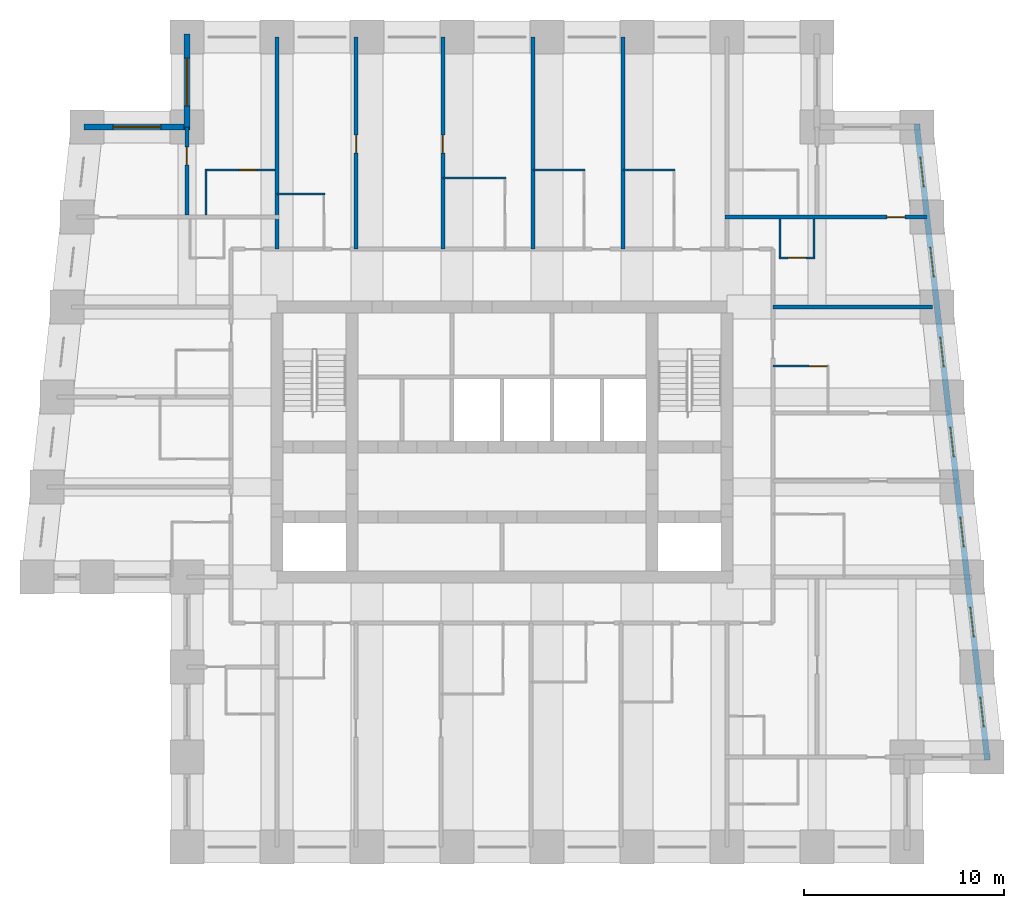
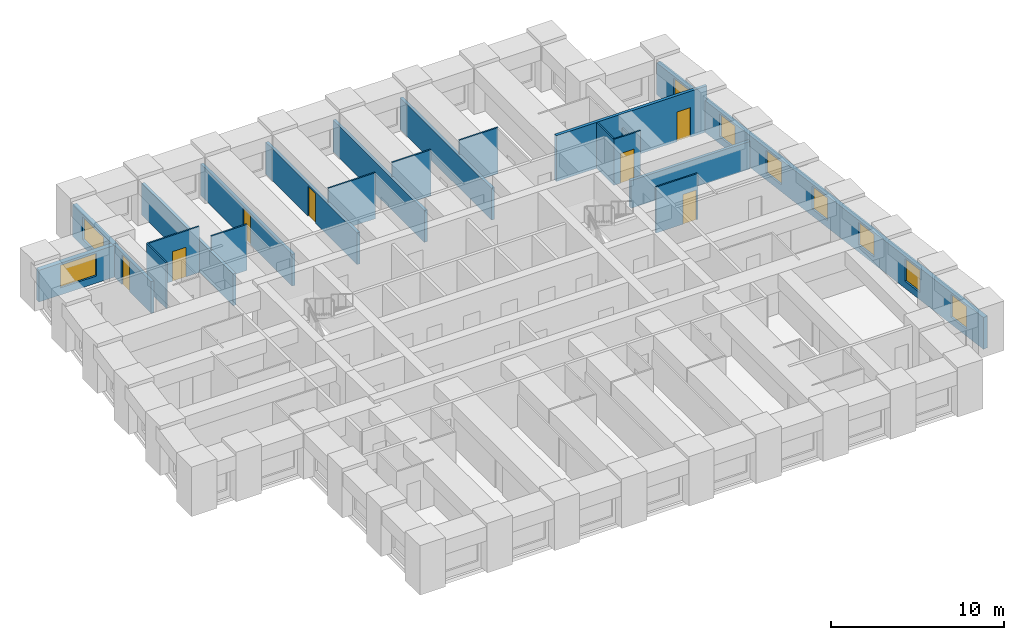
# One storey, part 6 of 8: 21 walls, 9 windows, 7 doors, 16 openings.
"""IFC4 building model written with IfcOpenShell, lengths in metres."""

from ifc_helpers import new_model, si_unit, direction, frame, frame_2d, origin, place, context, subcontext, project, spatial, rectangle, extrude, material, layer, layer_set, type_object, element, fill, save


model = new_model("IFC4")

# Units and contexts
model_context = context("Model", 3, precision=1e-05, world=origin(), true_north=direction((0.0, 1.0)))
body_context = subcontext(model_context, "Body", "Model", "MODEL_VIEW")
ifc_project = project(units=[si_unit("LENGTHUNIT", "METRE"), si_unit("AREAUNIT", "SQUARE_METRE"), si_unit("VOLUMEUNIT", "CUBIC_METRE"), si_unit("PLANEANGLEUNIT", "RADIAN"), si_unit("MASSUNIT", "GRAM", prefix="KILO")], contexts=[model_context])

# Site, building, storey
site_placement = place(None, origin())
site = spatial("IfcSite", under=ifc_project, at=site_placement, CompositionType="ELEMENT")
building_placement = place(site_placement, origin())
building = spatial("IfcBuilding", under=site, at=building_placement, Name="Kilele Tower Hotel", CompositionType="ELEMENT")
storey_placement = place(building_placement, frame((0.0, 0.0, 172.89990234375)))
storey = spatial("IfcBuildingStorey", under=building, at=storey_placement, Name="L44", CompositionType="ELEMENT", Elevation=172.89990234375)

# Wall, opening, door
ifc_material_1 = material(Name="Moisture-resistant board")
ifc_layer_1 = layer(ifc_material_1, 0.10009765625)
ifc_layer_set_1 = layer_set([ifc_layer_1], Name="Moisture-resistant board")
wall_type_1 = type_object("IfcWallType", Name="Bathroom partition 100", PredefinedType="PLUMBINGWALL", material=ifc_layer_set_1)
wall_1_placement = place(storey_placement, frame((38.300048828125, 24.050048828125, 0.0), z_axis=(0.0, 0.0, 1.0), x_axis=(1.0, 0.0, 0.0)))
wall_1 = element("IfcWall", 1, at=wall_1_placement, inside=storey, type_object=wall_type_1, Name="Bathroom partition 100 L44", PredefinedType="PLUMBINGWALL", context=body_context, shape_type="SweptSolid", body=[
    extrude(rectangle(XDim=2.800048828125, YDim=0.10009765625, at=frame_2d((1.39990234375, 0.0))), origin(), (0.0, 0.0, 1.0), 3.25),
])
opening_1_placement = place(wall_1_placement, frame((1.800048828125, 0.0, 0.0)))
opening_1 = element("IfcOpeningElement", 2, at=opening_1_placement, cuts=wall_1, Name="Opening D2A", PredefinedType="OPENING", context=body_context, shape_type="SweptSolid", body=[
    extrude(rectangle(XDim=0.89990234375, YDim=2.10009765625, at=frame_2d((0.449951171875, 1.050048828125))), frame((0.0, 0.06005859375, 0.0), z_axis=(0.0, -1.0, 0.0), x_axis=(1.0, 0.0, 0.0)), (0.0, 0.0, 1.0), 0.1201171875),
])
ifc_material_2 = material(Name="Timber door leaf in hardwood frame", Category="wood")
door_type_1 = type_object("IfcDoorType", Name="Bathroom door 900", OperationType="SINGLE_SWING_LEFT", PredefinedType="DOOR", material=ifc_material_2)
door_1_placement = place(opening_1_placement, origin())
door_1 = element("IfcDoor", 3, at=door_1_placement, inside=storey, type_object=door_type_1, Name="Bathroom door 4408B", OperationType="SINGLE_SWING_RIGHT", OverallHeight=2.10009765625, OverallWidth=0.89990234375, PredefinedType="DOOR", context=body_context, shape_type="SweptSolid", body=[
    extrude(rectangle(XDim=0.89990234375, YDim=2.10009765625, at=frame_2d((0.449951171875, 1.050048828125))), frame((0.0, 0.02490234375, 0.0), z_axis=(0.0, -1.0, 0.0), x_axis=(1.0, 0.0, 0.0)), (0.0, 0.0, 1.0), 0.050048828125),
])
fill(opening_1, door_1)

# Walls
wall_2_placement = place(storey_placement, frame((13.5, 32.64990234375, 0.0), z_axis=(0.0, 0.0, 1.0), x_axis=(1.0, 0.0, 0.0)))
element("IfcWall", 4, at=wall_2_placement, inside=storey, type_object=wall_type_1, Name="Bathroom partition 100 L44", PredefinedType="PLUMBINGWALL", context=body_context, shape_type="SweptSolid", body=[
    extrude(rectangle(XDim=2.39990234375, YDim=0.10009765625, at=frame_2d((1.199951171875, 0.0))), origin(), (0.0, 0.0, 1.0), 3.25),
])
wall_3_placement = place(storey_placement, frame((21.800048828125, 33.449951171875, 0.0), z_axis=(0.0, 0.0, 1.0), x_axis=(1.0, 0.0, 0.0)))
element("IfcWall", 5, at=wall_3_placement, inside=storey, type_object=wall_type_1, Name="Bathroom partition 100 L44", PredefinedType="PLUMBINGWALL", context=body_context, shape_type="SweptSolid", body=[
    extrude(rectangle(XDim=3.14990234375, YDim=0.10009765625, at=frame_2d((1.574951171875, 0.0))), origin(), (0.0, 0.0, 1.0), 3.25),
])
for number, where, z_axis, x_axis, name in (
    (6, (26.300048828125, 33.85009765625, 0.0), (0.0, 0.0, 1.0), (1.0, 0.0, 0.0), "Bathroom partition 100 L44"),
    (7, (30.800048828125, 33.85009765625, 0.0), (0.0, 0.0, 1.0), (1.0, 0.0, 0.0), "Bathroom partition 100 L44"),
):
    element("IfcWall", number, at=place(storey_placement, frame(where, z_axis=z_axis, x_axis=x_axis)), inside=storey, type_object=wall_type_1, Name=name, PredefinedType="PLUMBINGWALL", context=body_context, shape_type="SweptSolid", body=[
        extrude(rectangle(XDim=2.599853515625, YDim=0.10009765625, at=frame_2d((1.2998046875, 0.0))), origin(), (0.0, 0.0, 1.0), 3.25),
    ])
wall_4_placement = place(storey_placement, frame((40.35009765625, 31.39990234375, 0.0), z_axis=(0.0, 0.0, 1.0), x_axis=(0.0, -1.0, 0.0)))
element("IfcWall", 8, at=wall_4_placement, inside=storey, type_object=wall_type_1, Name="Bathroom partition 100 L44", PredefinedType="PLUMBINGWALL", context=body_context, shape_type="SweptSolid", body=[
    extrude(rectangle(XDim=2.0, YDim=0.10009765625, at=frame_2d((1.0, 0.0))), origin(), (0.0, 0.0, 1.0), 2.25),
])
wall_5_placement = place(storey_placement, frame((38.64990234375, 31.39990234375, 0.0), z_axis=(0.0, 0.0, 1.0), x_axis=(0.0, -1.0, 0.0)))
element("IfcWall", 9, at=wall_5_placement, inside=storey, type_object=wall_type_1, Name="Bathroom partition 100 L44", PredefinedType="PLUMBINGWALL", context=body_context, shape_type="SweptSolid", body=[
    extrude(rectangle(XDim=2.0, YDim=0.10009765625, at=frame_2d((1.0, 0.0))), origin(), (0.0, 0.0, 1.0), 3.25),
])

# Wall, opening, door
wall_6_placement = place(storey_placement, frame((38.60009765625, 29.449951171875, 0.0), z_axis=(0.0, 0.0, 1.0), x_axis=(1.0, 0.0, 0.0)))
wall_6 = element("IfcWall", 10, at=wall_6_placement, inside=storey, type_object=wall_type_1, Name="Bathroom partition 100 L44", PredefinedType="PLUMBINGWALL", context=body_context, shape_type="SweptSolid", body=[
    extrude(rectangle(XDim=1.7998046875, YDim=0.10009765625, at=frame_2d((0.89990234375, 0.0))), origin(), (0.0, 0.0, 1.0), 3.25),
])
opening_2_placement = place(wall_6_placement, frame((1.349853515625, 0.0, 0.0), z_axis=(0.0, 0.0, 1.0), x_axis=(-1.0, 0.0, 0.0)))
opening_2 = element("IfcOpeningElement", 11, at=opening_2_placement, cuts=wall_6, Name="Opening D2A", PredefinedType="OPENING", context=body_context, shape_type="SweptSolid", body=[
    extrude(rectangle(XDim=0.89990234375, YDim=2.10009765625, at=frame_2d((0.449951171875, 1.050048828125))), frame((0.0, 0.06005859375, 0.0), z_axis=(0.0, -1.0, 0.0), x_axis=(1.0, 0.0, 0.0)), (0.0, 0.0, 1.0), 0.1201171875),
])
door_2_placement = place(opening_2_placement, origin())
door_2 = element("IfcDoor", 12, at=door_2_placement, inside=storey, type_object=door_type_1, Name="Bathroom door 4422P", OperationType="SINGLE_SWING_RIGHT", OverallHeight=2.10009765625, OverallWidth=0.89990234375, PredefinedType="DOOR", context=body_context, shape_type="SweptSolid", body=[
    extrude(rectangle(XDim=0.89990234375, YDim=2.10009765625, at=frame_2d((0.449951171875, 1.050048828125))), frame((0.0, 0.02490234375, 0.0), z_axis=(0.0, -1.0, 0.0), x_axis=(1.0, 0.0, 0.0)), (0.0, 0.0, 1.0), 0.050048828125),
])
fill(opening_2, door_2)

# Wall
wall_7_placement = place(storey_placement, frame((9.949951171875, 31.60009765625, 0.0), z_axis=(0.0, 0.0, 1.0), x_axis=(0.0, 1.0, 0.0)))
element("IfcWall", 13, at=wall_7_placement, inside=storey, type_object=wall_type_1, Name="Bathroom partition 100 L44", PredefinedType="PLUMBINGWALL", context=body_context, shape_type="SweptSolid", body=[
    extrude(rectangle(XDim=2.2998046875, YDim=0.10009765625, at=frame_2d((1.14990234375, 0.0))), origin(), (0.0, 0.0, 1.0), 3.25),
])

# Wall, opening, door
wall_8_placement = place(storey_placement, frame((13.39990234375, 33.85009765625, 0.0), z_axis=(0.0, 0.0, 1.0), x_axis=(-1.0, 0.0, 0.0)))
wall_8 = element("IfcWall", 14, at=wall_8_placement, inside=storey, type_object=wall_type_1, Name="Bathroom partition 100 L44", PredefinedType="PLUMBINGWALL", context=body_context, shape_type="SweptSolid", body=[
    extrude(rectangle(XDim=3.5, YDim=0.10009765625, at=frame_2d((1.75, 0.0))), origin(), (0.0, 0.0, 1.0), 3.25),
])
opening_3_placement = place(wall_8_placement, frame((1.7998046875, 0.0, 0.0), z_axis=(0.0, 0.0, 1.0), x_axis=(-1.0, 0.0, 0.0)))
opening_3 = element("IfcOpeningElement", 15, at=opening_3_placement, cuts=wall_8, Name="Opening D2A", PredefinedType="OPENING", context=body_context, shape_type="SweptSolid", body=[
    extrude(rectangle(XDim=0.89990234375, YDim=2.10009765625, at=frame_2d((0.449951171875, 1.050048828125))), frame((0.0, 0.06005859375, 0.0), z_axis=(0.0, -1.0, 0.0), x_axis=(1.0, 0.0, 0.0)), (0.0, 0.0, 1.0), 0.1201171875),
])
door_3_placement = place(opening_3_placement, origin())
door_3 = element("IfcDoor", 16, at=door_3_placement, inside=storey, type_object=door_type_1, Name="Bathroom door 4426B", OperationType="SINGLE_SWING_RIGHT", OverallHeight=2.10009765625, OverallWidth=0.89990234375, PredefinedType="DOOR", context=body_context, shape_type="SweptSolid", body=[
    extrude(rectangle(XDim=0.89990234375, YDim=2.10009765625, at=frame_2d((0.449951171875, 1.050048828125))), frame((0.0, 0.02490234375, 0.0), z_axis=(0.0, -1.0, 0.0), x_axis=(1.0, 0.0, 0.0)), (0.0, 0.0, 1.0), 0.050048828125),
])
fill(opening_3, door_3)

ifc_material_3 = material(Name="Blockwork, plastered both sides", Category="masonry")
ifc_layer_2 = layer(ifc_material_3, 0.199951171875)
ifc_layer_set_2 = layer_set([ifc_layer_2], Name="Blockwork, plastered both sides")
wall_type_2 = type_object("IfcWallType", Name="Partition wall 200", PredefinedType="PARTITIONING", material=ifc_layer_set_2)
wall_9_placement = place(storey_placement, frame((9.0, 31.60009765625, 0.0), z_axis=(0.0, 0.0, 1.0), x_axis=(0.0, 1.0, 0.0)))
wall_9 = element("IfcWall", 17, at=wall_9_placement, inside=storey, type_object=wall_type_2, Name="Partition wall 200 L44", PredefinedType="PARTITIONING", context=body_context, shape_type="SweptSolid", body=[
    extrude(rectangle(XDim=4.39990234375, YDim=0.199951171875, at=frame_2d((2.199951171875, 0.0))), origin(), (0.0, 0.0, 1.0), 2.25),
])
opening_4_placement = place(wall_9_placement, frame((3.39990234375, 0.0, 0.0), z_axis=(0.0, 0.0, 1.0), x_axis=(-1.0, 0.0, 0.0)))
opening_4 = element("IfcOpeningElement", 18, at=opening_4_placement, cuts=wall_9, Name="Opening D3", PredefinedType="OPENING", context=body_context, shape_type="SweptSolid", body=[
    extrude(rectangle(XDim=0.89990234375, YDim=2.10009765625, at=frame_2d((0.449951171875, 1.050048828125))), frame((0.0, 0.10986328125, 0.0), z_axis=(0.0, -1.0, 0.0), x_axis=(1.0, 0.0, 0.0)), (0.0, 0.0, 1.0), 0.219970703125),
])
ifc_material_4 = material(Name="Timber door leaf in hardwood frame", Category="wood")
door_type_2 = type_object("IfcDoorType", Name="Suite internal door 900", OperationType="SINGLE_SWING_LEFT", PredefinedType="DOOR", material=ifc_material_4)
door_4_placement = place(opening_4_placement, origin())
door_4 = element("IfcDoor", 19, at=door_4_placement, inside=storey, type_object=door_type_2, Name="Suite door 4427", OperationType="SINGLE_SWING_RIGHT", OverallHeight=2.10009765625, OverallWidth=0.89990234375, PredefinedType="DOOR", context=body_context, shape_type="SweptSolid", body=[
    extrude(rectangle(XDim=0.89990234375, YDim=2.10009765625, at=frame_2d((0.449951171875, 1.050048828125))), frame((0.0, 0.02490234375, 0.0), z_axis=(0.0, -1.0, 0.0), x_axis=(1.0, 0.0, 0.0)), (0.0, 0.0, 1.0), 0.050048828125),
])
fill(opening_4, door_4)

ifc_material_5 = material(Name="Blockwork, plastered both sides", Category="masonry")
ifc_layer_3 = layer(ifc_material_5, 0.199951171875)
ifc_layer_set_3 = layer_set([ifc_layer_3], Name="Blockwork, plastered both sides")
wall_type_3 = type_object("IfcWallType", Name="Party wall 200", PredefinedType="PARTITIONING", material=ifc_layer_set_3)
wall_10_placement = place(storey_placement, frame((17.449951171875, 29.89990234375, 0.0), z_axis=(0.0, 0.0, 1.0), x_axis=(0.0, 1.0, 0.0)))
wall_10 = element("IfcWall", 20, at=wall_10_placement, inside=storey, type_object=wall_type_3, Name="Party wall 200 L44", PredefinedType="PARTITIONING", context=body_context, shape_type="SweptSolid", body=[
    extrude(rectangle(XDim=10.60009765625, YDim=0.199951171875, at=frame_2d((5.300048828125, 0.0))), origin(), (0.0, 0.0, 1.0), 2.25),
])
opening_5_placement = place(wall_10_placement, frame((4.800048828125, 0.0, 0.0)))
opening_5 = element("IfcOpeningElement", 21, at=opening_5_placement, cuts=wall_10, Name="Opening D3", PredefinedType="OPENING", context=body_context, shape_type="SweptSolid", body=[
    extrude(rectangle(XDim=0.89990234375, YDim=2.10009765625, at=frame_2d((0.449951171875, 1.050048828125))), frame((0.0, 0.10986328125, 0.0), z_axis=(0.0, -1.0, 0.0), x_axis=(1.0, 0.0, 0.0)), (0.0, 0.0, 1.0), 0.219970703125),
])
door_5_placement = place(opening_5_placement, origin())
door_5 = element("IfcDoor", 22, at=door_5_placement, inside=storey, type_object=door_type_2, Name="Suite door 4410", OperationType="SINGLE_SWING_LEFT", OverallHeight=2.10009765625, OverallWidth=0.89990234375, PredefinedType="DOOR", context=body_context, shape_type="SweptSolid", body=[
    extrude(rectangle(XDim=0.89990234375, YDim=2.10009765625, at=frame_2d((0.449951171875, 1.050048828125))), frame((0.0, 0.02490234375, 0.0), z_axis=(0.0, -1.0, 0.0), x_axis=(1.0, 0.0, 0.0)), (0.0, 0.0, 1.0), 0.050048828125),
])
fill(opening_5, door_5)

wall_11_placement = place(storey_placement, frame((21.800048828125, 29.89990234375, 0.0), z_axis=(0.0, 0.0, 1.0), x_axis=(0.0, 1.0, 0.0)))
wall_11 = element("IfcWall", 23, at=wall_11_placement, inside=storey, type_object=wall_type_3, Name="Party wall 200 L44", PredefinedType="PARTITIONING", context=body_context, shape_type="SweptSolid", body=[
    extrude(rectangle(XDim=10.60009765625, YDim=0.199951171875, at=frame_2d((5.300048828125, 0.0))), origin(), (0.0, 0.0, 1.0), 2.25),
])
opening_6_placement = place(wall_11_placement, frame((5.699951171875, 0.0, 0.0), z_axis=(0.0, 0.0, 1.0), x_axis=(-1.0, 0.0, 0.0)))
opening_6 = element("IfcOpeningElement", 24, at=opening_6_placement, cuts=wall_11, Name="Opening D3", PredefinedType="OPENING", context=body_context, shape_type="SweptSolid", body=[
    extrude(rectangle(XDim=0.89990234375, YDim=2.10009765625, at=frame_2d((0.449951171875, 1.050048828125))), frame((0.0, 0.10986328125, 0.0), z_axis=(0.0, -1.0, 0.0), x_axis=(1.0, 0.0, 0.0)), (0.0, 0.0, 1.0), 0.219970703125),
])
door_6_placement = place(opening_6_placement, origin())
door_6 = element("IfcDoor", 25, at=door_6_placement, inside=storey, type_object=door_type_2, Name="Suite door 4411", OperationType="SINGLE_SWING_RIGHT", OverallHeight=2.10009765625, OverallWidth=0.89990234375, PredefinedType="DOOR", context=body_context, shape_type="SweptSolid", body=[
    extrude(rectangle(XDim=0.89990234375, YDim=2.10009765625, at=frame_2d((0.449951171875, 1.050048828125))), frame((0.0, 0.02490234375, 0.0), z_axis=(0.0, -1.0, 0.0), x_axis=(1.0, 0.0, 0.0)), (0.0, 0.0, 1.0), 0.050048828125),
])
fill(opening_6, door_6)

# Walls
for number, where, z_axis, x_axis, name in (
    (26, (26.300048828125, 29.89990234375, 0.0), (0.0, 0.0, 1.0), (0.0, 1.0, 0.0), "Party wall 200 L44"),
    (27, (30.800048828125, 29.89990234375, 0.0), (0.0, 0.0, 1.0), (0.0, 1.0, 0.0), "Party wall 200 L44"),
):
    element("IfcWall", number, at=place(storey_placement, frame(where, z_axis=z_axis, x_axis=x_axis)), inside=storey, type_object=wall_type_3, Name=name, PredefinedType="PARTITIONING", context=body_context, shape_type="SweptSolid", body=[
        extrude(rectangle(XDim=10.60009765625, YDim=0.199951171875, at=frame_2d((5.300048828125, 0.0))), origin(), (0.0, 0.0, 1.0), 2.25),
    ])
wall_12_placement = place(storey_placement, frame((38.300048828125, 27.0, 0.0), z_axis=(0.0, 0.0, 1.0), x_axis=(1.0, 0.0, 0.0)))
element("IfcWall", 28, at=wall_12_placement, inside=storey, type_object=wall_type_3, Name="Party wall 200 L44", PredefinedType="PARTITIONING", context=body_context, shape_type="SweptSolid", body=[
    extrude(rectangle(XDim=7.976806640625, YDim=0.199951171875, at=frame_2d((3.98828125, 0.0))), origin(), (0.0, 0.0, 1.0), 1.9501953125),
])

# Wall, opening, door
wall_13_placement = place(storey_placement, frame((35.89990234375, 31.5, 0.0), z_axis=(0.0, 0.0, 1.0), x_axis=(1.0, 0.0, 0.0)))
wall_13 = element("IfcWall", 29, at=wall_13_placement, inside=storey, type_object=wall_type_3, Name="Party wall 200 L44", PredefinedType="PARTITIONING", context=body_context, shape_type="SweptSolid", body=[
    extrude(rectangle(XDim=10.09912109375, YDim=0.199951171875, at=frame_2d((5.049560546875, 0.0))), origin(), (0.0, 0.0, 1.0), 3.25),
])
opening_7_placement = place(wall_13_placement, frame((8.09912109375, 0.0, 0.0)))
opening_7 = element("IfcOpeningElement", 30, at=opening_7_placement, cuts=wall_13, Name="Opening D3", PredefinedType="OPENING", context=body_context, shape_type="SweptSolid", body=[
    extrude(rectangle(XDim=0.89990234375, YDim=2.10009765625, at=frame_2d((0.449951171875, 1.050048828125))), frame((0.0, 0.10986328125, 0.0), z_axis=(0.0, -1.0, 0.0), x_axis=(1.0, 0.0, 0.0)), (0.0, 0.0, 1.0), 0.219970703125),
])
door_7_placement = place(opening_7_placement, origin())
door_7 = element("IfcDoor", 31, at=door_7_placement, inside=storey, type_object=door_type_2, Name="Suite door 4423", OperationType="SINGLE_SWING_RIGHT", OverallHeight=2.10009765625, OverallWidth=0.89990234375, PredefinedType="DOOR", context=body_context, shape_type="SweptSolid", body=[
    extrude(rectangle(XDim=0.89990234375, YDim=2.10009765625, at=frame_2d((0.449951171875, 1.050048828125))), frame((0.0, 0.02490234375, 0.0), z_axis=(0.0, -1.0, 0.0), x_axis=(1.0, 0.0, 0.0)), (0.0, 0.0, 1.0), 0.050048828125),
])
fill(opening_7, door_7)

# Wall
wall_14_placement = place(storey_placement, frame((13.5, 29.89990234375, 0.0), z_axis=(0.0, 0.0, 1.0), x_axis=(0.0, 1.0, 0.0)))
element("IfcWall", 32, at=wall_14_placement, inside=storey, type_object=wall_type_3, Name="Party wall 200 L44", PredefinedType="PARTITIONING", context=body_context, shape_type="SweptSolid", body=[
    extrude(rectangle(XDim=10.60009765625, YDim=0.199951171875, at=frame_2d((5.300048828125, 0.0))), origin(), (0.0, 0.0, 1.0), 2.25),
])

# Wall, openings, windows
ifc_material_6 = material(Name="Concrete C40/50 precast", Category="concrete")
ifc_layer_4 = layer(ifc_material_6, 0.260009765625, Name="Precast backing", Category="LoadBearing")
ifc_material_7 = material(Name="Reconstituted stone finish", Category="masonry")
ifc_layer_5 = layer(ifc_material_7, 0.0400390625, Name="Face mix", Category="Finish")
ifc_layer_set_4 = layer_set([ifc_layer_4, ifc_layer_5], Name="Precast concrete C40/50, reconstituted stone finish")
wall_type_4 = type_object("IfcWallType", Name="Precast stone facade wall 300", PredefinedType="STANDARD", material=ifc_layer_set_4)
wall_15_placement = place(storey_placement, frame((49.0166015625, 4.350830078125, 0.0), z_axis=(0.0, 0.0, 1.0), x_axis=(-0.110433201132, 0.993883548555, 0.0)))
wall_15 = element("IfcWall", 33, at=wall_15_placement, inside=storey, type_object=wall_type_4, Name="Facade wall L44 edge 6", PredefinedType="STANDARD", context=body_context, shape_type="SweptSolid", body=[
    extrude(rectangle(XDim=31.994140625, YDim=0.300048828125, at=frame_2d((15.9970703125, 0.0))), origin(), (0.0, 0.0, 1.0), 2.25),
])
opening_8_placement = place(wall_15_placement, frame((1.6640625, 0.0, 0.5)))
opening_8 = element("IfcOpeningElement", 34, at=opening_8_placement, cuts=wall_15, Name="Opening W3", PredefinedType="OPENING", context=body_context, shape_type="SweptSolid", body=[
    extrude(rectangle(XDim=1.5, YDim=1.60009765625, at=frame_2d((0.75, 0.800048828125))), frame((0.0, 0.159912109375, 0.0), z_axis=(0.0, -1.0, 0.0), x_axis=(1.0, 0.0, 0.0)), (0.0, 0.0, 1.0), 0.320068359375),
])
opening_9_placement = place(wall_15_placement, frame((6.19189453125, 0.0, 0.5)))
opening_9 = element("IfcOpeningElement", 35, at=opening_9_placement, cuts=wall_15, Name="Opening W3", PredefinedType="OPENING", context=body_context, shape_type="SweptSolid", body=[
    extrude(rectangle(XDim=1.5, YDim=1.60009765625, at=frame_2d((0.75, 0.800048828125))), frame((0.0, 0.159912109375, 0.0), z_axis=(0.0, -1.0, 0.0), x_axis=(1.0, 0.0, 0.0)), (0.0, 0.0, 1.0), 0.320068359375),
])
opening_10_placement = place(wall_15_placement, frame((10.718994140625, 0.0, 0.5)))
opening_10 = element("IfcOpeningElement", 36, at=opening_10_placement, cuts=wall_15, Name="Opening W3", PredefinedType="OPENING", context=body_context, shape_type="SweptSolid", body=[
    extrude(rectangle(XDim=1.5, YDim=1.60009765625, at=frame_2d((0.75, 0.800048828125))), frame((0.0, 0.159912109375, 0.0), z_axis=(0.0, -1.0, 0.0), x_axis=(1.0, 0.0, 0.0)), (0.0, 0.0, 1.0), 0.320068359375),
])
opening_11_placement = place(wall_15_placement, frame((15.2470703125, 0.0, 0.5)))
opening_11 = element("IfcOpeningElement", 37, at=opening_11_placement, cuts=wall_15, Name="Opening W3", PredefinedType="OPENING", context=body_context, shape_type="SweptSolid", body=[
    extrude(rectangle(XDim=1.5, YDim=1.60009765625, at=frame_2d((0.75, 0.800048828125))), frame((0.0, 0.159912109375, 0.0), z_axis=(0.0, -1.0, 0.0), x_axis=(1.0, 0.0, 0.0)), (0.0, 0.0, 1.0), 0.320068359375),
])
opening_12_placement = place(wall_15_placement, frame((19.77490234375, 0.0, 0.5)))
opening_12 = element("IfcOpeningElement", 38, at=opening_12_placement, cuts=wall_15, Name="Opening W3", PredefinedType="OPENING", context=body_context, shape_type="SweptSolid", body=[
    extrude(rectangle(XDim=1.5, YDim=1.60009765625, at=frame_2d((0.75, 0.800048828125))), frame((0.0, 0.159912109375, 0.0), z_axis=(0.0, -1.0, 0.0), x_axis=(1.0, 0.0, 0.0)), (0.0, 0.0, 1.0), 0.320068359375),
])
opening_13_placement = place(wall_15_placement, frame((24.302001953125, 0.0, 0.5)))
opening_13 = element("IfcOpeningElement", 39, at=opening_13_placement, cuts=wall_15, Name="Opening W3", PredefinedType="OPENING", context=body_context, shape_type="SweptSolid", body=[
    extrude(rectangle(XDim=1.5, YDim=1.60009765625, at=frame_2d((0.75, 0.800048828125))), frame((0.0, 0.159912109375, 0.0), z_axis=(0.0, -1.0, 0.0), x_axis=(1.0, 0.0, 0.0)), (0.0, 0.0, 1.0), 0.320068359375),
])
opening_14_placement = place(wall_15_placement, frame((28.830078125, 0.0, 0.5)))
opening_14 = element("IfcOpeningElement", 40, at=opening_14_placement, cuts=wall_15, Name="Opening W3", PredefinedType="OPENING", context=body_context, shape_type="SweptSolid", body=[
    extrude(rectangle(XDim=1.5, YDim=1.60009765625, at=frame_2d((0.75, 0.800048828125))), frame((0.0, 0.159912109375, 0.0), z_axis=(0.0, -1.0, 0.0), x_axis=(1.0, 0.0, 0.0)), (0.0, 0.0, 1.0), 0.320068359375),
])
ifc_material_8 = material(Name="Aluminium frame, clear double glazing", Category="aluminium")
window_type_1 = type_object("IfcWindowType", Name="Window W3 1500 x 1600", PartitioningType="SINGLE_PANEL", PredefinedType="WINDOW", material=ifc_material_8)
window_1_placement = place(opening_8_placement, origin())
window_1 = element("IfcWindow", 41, at=window_1_placement, inside=storey, type_object=window_type_1, Name="Window L44", OverallHeight=1.60009765625, OverallWidth=1.5, PartitioningType="SINGLE_PANEL", PredefinedType="WINDOW", context=body_context, shape_type="SweptSolid", body=[
    extrude(rectangle(XDim=1.5, YDim=1.60009765625, at=frame_2d((0.75, 0.800048828125))), frame((0.0, 0.030029296875, 0.0), z_axis=(0.0, -1.0, 0.0), x_axis=(1.0, 0.0, 0.0)), (0.0, 0.0, 1.0), 0.06005859375),
])
fill(opening_8, window_1)
window_2_placement = place(opening_9_placement, origin())
window_2 = element("IfcWindow", 42, at=window_2_placement, inside=storey, type_object=window_type_1, Name="Window L44", OverallHeight=1.60009765625, OverallWidth=1.5, PartitioningType="SINGLE_PANEL", PredefinedType="WINDOW", context=body_context, shape_type="SweptSolid", body=[
    extrude(rectangle(XDim=1.5, YDim=1.60009765625, at=frame_2d((0.75, 0.800048828125))), frame((0.0, 0.030029296875, 0.0), z_axis=(0.0, -1.0, 0.0), x_axis=(1.0, 0.0, 0.0)), (0.0, 0.0, 1.0), 0.06005859375),
])
fill(opening_9, window_2)
window_3_placement = place(opening_10_placement, origin())
window_3 = element("IfcWindow", 43, at=window_3_placement, inside=storey, type_object=window_type_1, Name="Window L44", OverallHeight=1.60009765625, OverallWidth=1.5, PartitioningType="SINGLE_PANEL", PredefinedType="WINDOW", context=body_context, shape_type="SweptSolid", body=[
    extrude(rectangle(XDim=1.5, YDim=1.60009765625, at=frame_2d((0.75, 0.800048828125))), frame((0.0, 0.030029296875, 0.0), z_axis=(0.0, -1.0, 0.0), x_axis=(1.0, 0.0, 0.0)), (0.0, 0.0, 1.0), 0.06005859375),
])
fill(opening_10, window_3)
window_4_placement = place(opening_11_placement, origin())
window_4 = element("IfcWindow", 44, at=window_4_placement, inside=storey, type_object=window_type_1, Name="Window L44", OverallHeight=1.60009765625, OverallWidth=1.5, PartitioningType="SINGLE_PANEL", PredefinedType="WINDOW", context=body_context, shape_type="SweptSolid", body=[
    extrude(rectangle(XDim=1.5, YDim=1.60009765625, at=frame_2d((0.75, 0.800048828125))), frame((0.0, 0.030029296875, 0.0), z_axis=(0.0, -1.0, 0.0), x_axis=(1.0, 0.0, 0.0)), (0.0, 0.0, 1.0), 0.06005859375),
])
fill(opening_11, window_4)
window_5_placement = place(opening_12_placement, origin())
window_5 = element("IfcWindow", 45, at=window_5_placement, inside=storey, type_object=window_type_1, Name="Window L44", OverallHeight=1.60009765625, OverallWidth=1.5, PartitioningType="SINGLE_PANEL", PredefinedType="WINDOW", context=body_context, shape_type="SweptSolid", body=[
    extrude(rectangle(XDim=1.5, YDim=1.60009765625, at=frame_2d((0.75, 0.800048828125))), frame((0.0, 0.030029296875, 0.0), z_axis=(0.0, -1.0, 0.0), x_axis=(1.0, 0.0, 0.0)), (0.0, 0.0, 1.0), 0.06005859375),
])
fill(opening_12, window_5)
window_6_placement = place(opening_13_placement, origin())
window_6 = element("IfcWindow", 46, at=window_6_placement, inside=storey, type_object=window_type_1, Name="Window L44", OverallHeight=1.60009765625, OverallWidth=1.5, PartitioningType="SINGLE_PANEL", PredefinedType="WINDOW", context=body_context, shape_type="SweptSolid", body=[
    extrude(rectangle(XDim=1.5, YDim=1.60009765625, at=frame_2d((0.75, 0.800048828125))), frame((0.0, 0.030029296875, 0.0), z_axis=(0.0, -1.0, 0.0), x_axis=(1.0, 0.0, 0.0)), (0.0, 0.0, 1.0), 0.06005859375),
])
fill(opening_13, window_6)
window_7_placement = place(opening_14_placement, origin())
window_7 = element("IfcWindow", 47, at=window_7_placement, inside=storey, type_object=window_type_1, Name="Window L44", OverallHeight=1.60009765625, OverallWidth=1.5, PartitioningType="SINGLE_PANEL", PredefinedType="WINDOW", context=body_context, shape_type="SweptSolid", body=[
    extrude(rectangle(XDim=1.5, YDim=1.60009765625, at=frame_2d((0.75, 0.800048828125))), frame((0.0, 0.030029296875, 0.0), z_axis=(0.0, -1.0, 0.0), x_axis=(1.0, 0.0, 0.0)), (0.0, 0.0, 1.0), 0.06005859375),
])
fill(opening_14, window_7)

# Wall, opening, window
wall_16_placement = place(storey_placement, frame((9.0, 40.64990234375, 0.0), z_axis=(0.0, 0.0, 1.0), x_axis=(0.0, -1.0, 0.0)))
wall_16 = element("IfcWall", 48, at=wall_16_placement, inside=storey, type_object=wall_type_4, Name="Facade wall L44 edge 10", PredefinedType="STANDARD", context=body_context, shape_type="SweptSolid", body=[
    extrude(rectangle(XDim=4.7998046875, YDim=0.300048828125, at=frame_2d((2.39990234375, 0.0))), origin(), (0.0, 0.0, 1.0), 2.25),
])
opening_15_placement = place(wall_16_placement, frame((1.199951171875, 0.0, 0.5)))
opening_15 = element("IfcOpeningElement", 49, at=opening_15_placement, cuts=wall_16, Name="Opening W3", PredefinedType="OPENING", context=body_context, shape_type="SweptSolid", body=[
    extrude(rectangle(XDim=2.39990234375, YDim=1.60009765625, at=frame_2d((1.199951171875, 0.800048828125))), frame((0.0, 0.159912109375, 0.0), z_axis=(0.0, -1.0, 0.0), x_axis=(1.0, 0.0, 0.0)), (0.0, 0.0, 1.0), 0.320068359375),
])
ifc_material_9 = material(Name="Aluminium frame, clear double glazing", Category="aluminium")
window_type_2 = type_object("IfcWindowType", Name="Window W3 2400 x 1600", PartitioningType="SINGLE_PANEL", PredefinedType="WINDOW", material=ifc_material_9)
window_8_placement = place(opening_15_placement, origin())
window_8 = element("IfcWindow", 50, at=window_8_placement, inside=storey, type_object=window_type_2, Name="Window L44", OverallHeight=1.60009765625, OverallWidth=2.39990234375, PartitioningType="SINGLE_PANEL", PredefinedType="WINDOW", context=body_context, shape_type="SweptSolid", body=[
    extrude(rectangle(XDim=2.39990234375, YDim=1.60009765625, at=frame_2d((1.199951171875, 0.800048828125))), frame((0.0, 0.030029296875, 0.0), z_axis=(0.0, -1.0, 0.0), x_axis=(1.0, 0.0, 0.0)), (0.0, 0.0, 1.0), 0.06005859375),
])
fill(opening_15, window_8)

wall_17_placement = place(storey_placement, frame((9.14990234375, 36.0, 0.0), z_axis=(0.0, 0.0, 1.0), x_axis=(-1.0, 0.0, 0.0)))
wall_17 = element("IfcWall", 51, at=wall_17_placement, inside=storey, type_object=wall_type_4, Name="Facade wall L44 edge 11", PredefinedType="STANDARD", context=body_context, shape_type="SweptSolid", body=[
    extrude(rectangle(XDim=5.2998046875, YDim=0.300048828125, at=frame_2d((2.64990234375, 0.0))), origin(), (0.0, 0.0, 1.0), 2.25),
])
opening_16_placement = place(wall_17_placement, frame((1.449951171875, 0.0, 0.5)))
opening_16 = element("IfcOpeningElement", 52, at=opening_16_placement, cuts=wall_17, Name="Opening W3", PredefinedType="OPENING", context=body_context, shape_type="SweptSolid", body=[
    extrude(rectangle(XDim=2.39990234375, YDim=1.60009765625, at=frame_2d((1.199951171875, 0.800048828125))), frame((0.0, 0.159912109375, 0.0), z_axis=(0.0, -1.0, 0.0), x_axis=(1.0, 0.0, 0.0)), (0.0, 0.0, 1.0), 0.320068359375),
])
window_9_placement = place(opening_16_placement, origin())
window_9 = element("IfcWindow", 53, at=window_9_placement, inside=storey, type_object=window_type_2, Name="Window L44", OverallHeight=1.60009765625, OverallWidth=2.39990234375, PartitioningType="SINGLE_PANEL", PredefinedType="WINDOW", context=body_context, shape_type="SweptSolid", body=[
    extrude(rectangle(XDim=2.39990234375, YDim=1.60009765625, at=frame_2d((1.199951171875, 0.800048828125))), frame((0.0, 0.030029296875, 0.0), z_axis=(0.0, -1.0, 0.0), x_axis=(1.0, 0.0, 0.0)), (0.0, 0.0, 1.0), 0.06005859375),
])
fill(opening_16, window_9)

save(model, "model.ifc")
